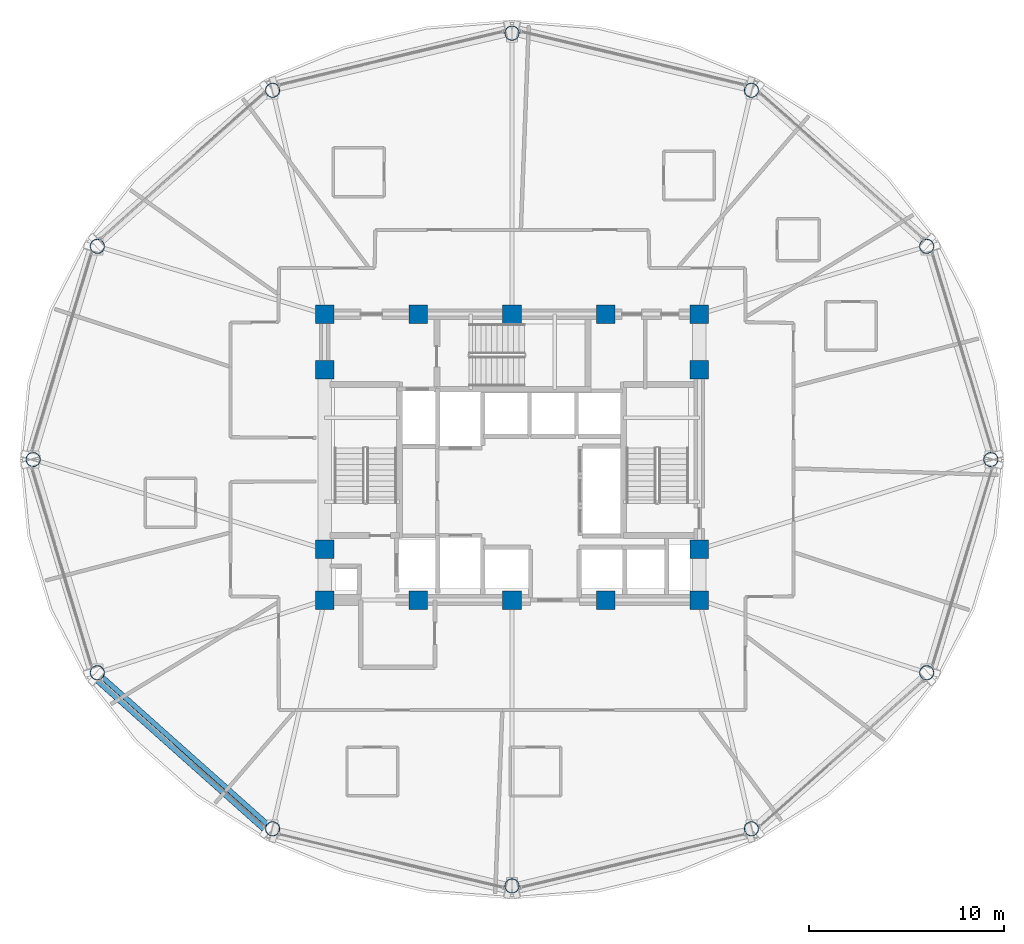
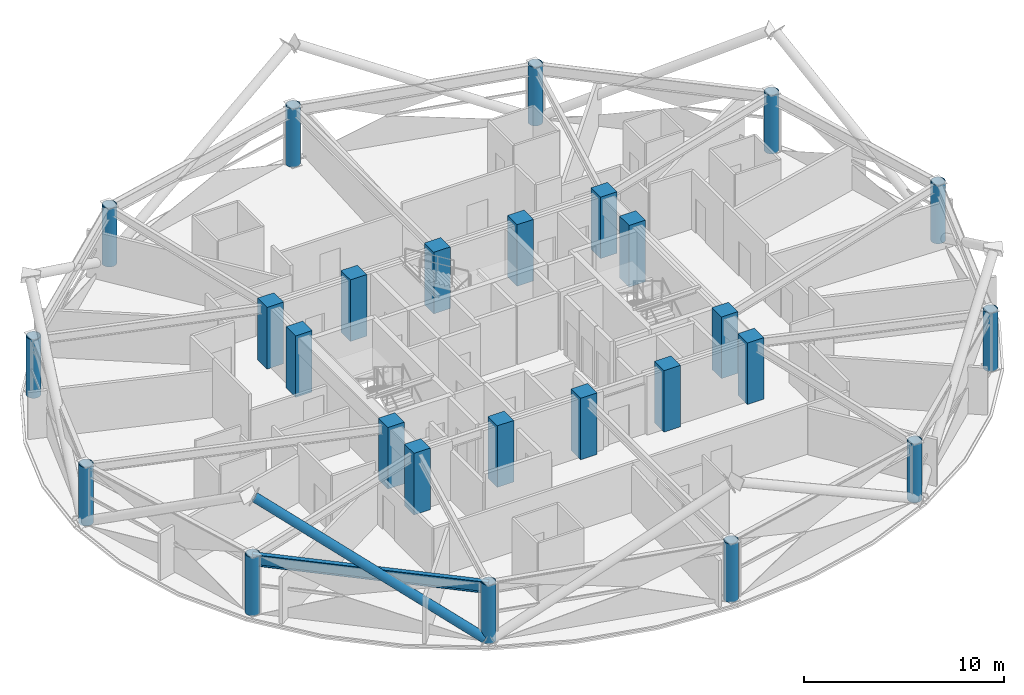
# One storey, part 1 of 29: 26 columns, 1 beam, 1 member.
"""IFC4 building model written with IfcOpenShell, lengths in metres."""

from ifc_helpers import new_model, si_unit, direction, frame, origin, origin_2d, place, context, subcontext, project, spatial, rectangle, hollow_circle, i_section, extrude, material, material_profile, profile_set, type_object, element, save


model = new_model("IFC4")

# Units and contexts
model_context = context("Model", 3, precision=1e-05, world=origin(), true_north=direction((0.0, 1.0)))
body_context = subcontext(model_context, "Body", "Model", "MODEL_VIEW")
ifc_project = project(units=[si_unit("LENGTHUNIT", "METRE"), si_unit("AREAUNIT", "SQUARE_METRE"), si_unit("VOLUMEUNIT", "CUBIC_METRE"), si_unit("PLANEANGLEUNIT", "RADIAN"), si_unit("MASSUNIT", "GRAM", prefix="KILO")], contexts=[model_context])

# Site, building, storey
site_placement = place(None, origin())
site = spatial("IfcSite", under=ifc_project, at=site_placement, CompositionType="ELEMENT")
building_placement = place(site_placement, origin())
building = spatial("IfcBuilding", under=site, at=building_placement, Name="Vantalir Tower", CompositionType="ELEMENT")
storey_placement = place(building_placement, frame((0.0, 0.0, 164.699951171875)))
storey = spatial("IfcBuildingStorey", under=building, at=storey_placement, Name="L41", CompositionType="ELEMENT", Elevation=164.699951171875)

# Columns
ifc_material_1 = material(Name="Concrete C60/75", Category="concrete")
ifc_material_profile_1 = material_profile(ifc_material_1, rectangle(XDim=0.949951171875, YDim=0.949951171875, at=origin_2d()), Name="Concrete C60/75")
ifc_profile_set_1 = profile_set([ifc_material_profile_1], Name="Concrete C60/75")
column_type_1 = type_object("IfcColumnType", Name="COL-CC-950", PredefinedType="COLUMN", material=ifc_profile_set_1)
for number, where, z_axis, x_axis, name in (
    (1, (21.89990234375, 17.800048828125, 0.0), (0.0, 0.0, 1.0), (1.0, 0.0, 0.0), "L41 Core Column CC01"),
    (2, (26.699951171875, 17.800048828125, 0.0), (0.0, 0.0, 1.0), (1.0, 0.0, 0.0), "L41 Core Column CC02"),
    (3, (31.5, 17.800048828125, 0.0), (0.0, 0.0, 1.0), (1.0, 0.0, 0.0), "L41 Core Column CC03"),
    (4, (36.300048828125, 17.800048828125, 0.0), (0.0, 0.0, 1.0), (1.0, 0.0, 0.0), "L41 Core Column CC04"),
    (5, (41.10009765625, 17.800048828125, 0.0), (0.0, 0.0, 1.0), (1.0, 0.0, 0.0), "L41 Core Column CC05"),
    (6, (21.89990234375, 20.39990234375, 0.0), (0.0, 0.0, 1.0), (1.0, 0.0, 0.0), "L41 Core Column CC06"),
    (7, (21.89990234375, 29.60009765625, 0.0), (0.0, 0.0, 1.0), (1.0, 0.0, 0.0), "L41 Core Column CC07"),
    (8, (41.10009765625, 20.39990234375, 0.0), (0.0, 0.0, 1.0), (1.0, 0.0, 0.0), "L41 Core Column CC08"),
    (9, (41.10009765625, 29.60009765625, 0.0), (0.0, 0.0, 1.0), (1.0, 0.0, 0.0), "L41 Core Column CC09"),
    (10, (21.89990234375, 32.449951171875, 0.0), (0.0, 0.0, 1.0), (1.0, 0.0, 0.0), "L41 Core Column CC10"),
    (11, (26.699951171875, 32.449951171875, 0.0), (0.0, 0.0, 1.0), (1.0, 0.0, 0.0), "L41 Core Column CC11"),
    (12, (31.5, 32.449951171875, 0.0), (0.0, 0.0, 1.0), (1.0, 0.0, 0.0), "L41 Core Column CC12"),
    (13, (36.300048828125, 32.449951171875, 0.0), (0.0, 0.0, 1.0), (1.0, 0.0, 0.0), "L41 Core Column CC13"),
    (14, (41.10009765625, 32.449951171875, 0.0), (0.0, 0.0, 1.0), (1.0, 0.0, 0.0), "L41 Core Column CC14"),
):
    element("IfcColumn", number, at=place(storey_placement, frame(where, z_axis=z_axis, x_axis=x_axis)), inside=storey, type_object=column_type_1, Name=name, PredefinedType="COLUMN", context=body_context, shape_type="SweptSolid", body=[
        extrude(rectangle(XDim=0.949951171875, YDim=0.949951171875, at=origin_2d()), origin(), (0.0, 0.0, 1.0), 3.75),
    ])
ifc_material_2 = material(Name="Steel S460", Category="steel")
ifc_material_profile_2 = material_profile(ifc_material_2, hollow_circle(Radius=0.375, WallThickness=0.034912109375, at=origin_2d()), Name="Steel S460")
ifc_profile_set_2 = profile_set([ifc_material_profile_2], Name="Steel S460")
column_type_2 = type_object("IfcColumnType", Name="COL-RC-750", PredefinedType="COLUMN", material=ifc_profile_set_2)
for number, where, z_axis, x_axis, name in (
    (15, (56.035888671875, 25.0, 0.0), (0.0, 0.0, 1.0), (1.0, 0.0, 0.0), "L41 Perimeter Ring Column RC01"),
    (16, (52.7490234375, 35.924072265625, 0.0), (0.0, 0.0, 1.0), (1.0, 0.0, 0.0), "L41 Perimeter Ring Column RC02"),
    (17, (43.76806640625, 43.9208984375, 0.0), (0.0, 0.0, 1.0), (1.0, 0.0, 0.0), "L41 Perimeter Ring Column RC03"),
    (18, (31.5, 46.847900390625, 0.0), (0.0, 0.0, 1.0), (1.0, 0.0, 0.0), "L41 Perimeter Ring Column RC04"),
    (19, (19.23193359375, 43.9208984375, 0.0), (0.0, 0.0, 1.0), (1.0, 0.0, 0.0), "L41 Perimeter Ring Column RC05"),
    (20, (10.2509765625, 35.924072265625, 0.0), (0.0, 0.0, 1.0), (1.0, 0.0, 0.0), "L41 Perimeter Ring Column RC06"),
    (21, (6.964111328125, 25.0, 0.0), (0.0, 0.0, 1.0), (1.0, 0.0, 0.0), "L41 Perimeter Ring Column RC07"),
    (22, (10.2509765625, 14.075927734375, 0.0), (0.0, 0.0, 1.0), (1.0, 0.0, 0.0), "L41 Perimeter Ring Column RC08"),
    (23, (19.23193359375, 6.0791015625, 0.0), (0.0, 0.0, 1.0), (1.0, 0.0, 0.0), "L41 Perimeter Ring Column RC09"),
    (24, (31.5, 3.152099609375, 0.0), (0.0, 0.0, 1.0), (1.0, 0.0, 0.0), "L41 Perimeter Ring Column RC10"),
    (25, (43.76806640625, 6.0791015625, 0.0), (0.0, 0.0, 1.0), (1.0, 0.0, 0.0), "L41 Perimeter Ring Column RC11"),
    (26, (52.7490234375, 14.075927734375, 0.0), (0.0, 0.0, 1.0), (1.0, 0.0, 0.0), "L41 Perimeter Ring Column RC12"),
):
    element("IfcColumn", number, at=place(storey_placement, frame(where, z_axis=z_axis, x_axis=x_axis)), inside=storey, type_object=column_type_2, Name=name, PredefinedType="COLUMN", context=body_context, shape_type="SweptSolid", body=[
        extrude(hollow_circle(Radius=0.375, WallThickness=0.034912109375, at=origin_2d()), origin(), (0.0, 0.0, 1.0), 3.570068359375),
    ])

# Beam
ifc_material_profile_3 = material_profile(ifc_material_2, i_section(OverallWidth=0.256103515625, OverallDepth=0.693115234375, WebThickness=0.014404296875, FlangeThickness=0.023681640625, at=origin_2d()), Name="Steel S460")
ifc_profile_set_3 = profile_set([ifc_material_profile_3], Name="Steel S460")
beam_type = type_object("IfcBeamType", Name="BM-RG-686x254", PredefinedType="USERDEFINED", material=ifc_profile_set_3)
beam_placement = place(storey_placement, frame((10.2509765625, 14.075927734375, 3.22412109375), z_axis=(0.746841140724, -0.66500248911, 0.0), x_axis=(0.66500248911, 0.746841140724, 0.0)))
element("IfcBeam", 27, at=beam_placement, inside=storey, type_object=beam_type, Name="L41 Circumferential Ring Girder 08", ObjectType="GIRDER", PredefinedType="USERDEFINED", context=body_context, shape_type="SweptSolid", body=[
    extrude(i_section(OverallWidth=0.256103515625, OverallDepth=0.693115234375, WebThickness=0.014404296875, FlangeThickness=0.023681640625, at=origin_2d()), origin(), (0.0, 0.0, 1.0), 12.025146484375),
])

# Member
ifc_material_profile_4 = material_profile(ifc_material_2, hollow_circle(Radius=0.260009765625, WallThickness=0.0380859375, at=origin_2d()), Name="Steel S460")
ifc_profile_set_4 = profile_set([ifc_material_profile_4], Name="Steel S460")
member_type = type_object("IfcMemberType", Name="MEM-DB-520x38", PredefinedType="BRACE", material=ifc_profile_set_4)
member_placement = place(storey_placement, frame((18.99609375, 6.041015625, 0.192138671875), z_axis=(-0.642832846563, 0.572882666568, 0.508499146239), x_axis=(-0.665320659853, -0.746557713491, 0.0)))
element("IfcMember", 28, at=member_placement, inside=storey, type_object=member_type, Name="L41 Perimeter S460 Diagrid Brace R25R", PredefinedType="BRACE", context=body_context, shape_type="SweptSolid", body=[
    extrude(hollow_circle(Radius=0.260009765625, WallThickness=0.0380859375, at=origin_2d()), origin(), (0.0, 0.0, 1.0), 13.6396484375),
])

save(model, "model.ifc")
